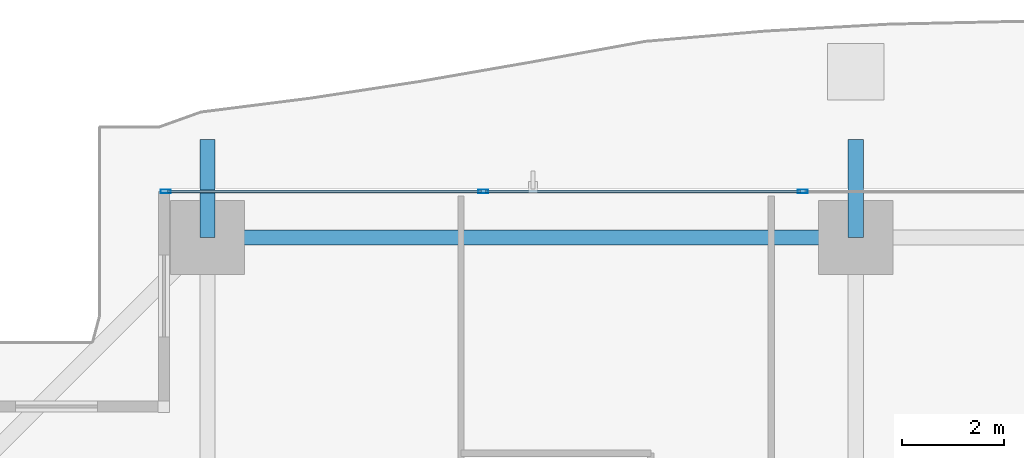
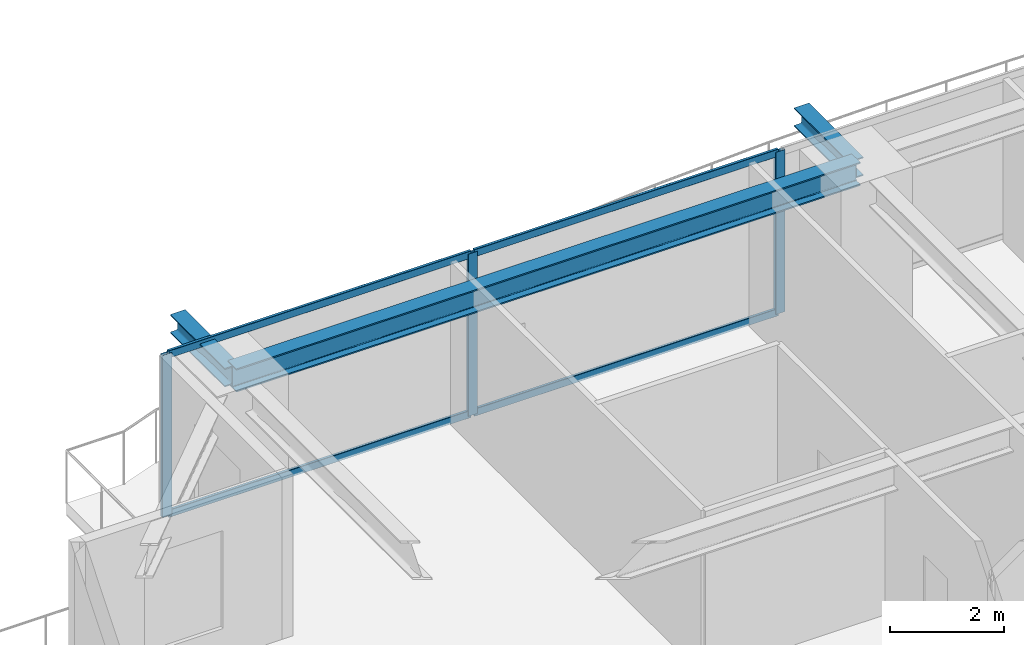
# One storey, part 17 of 36: 7 members, 3 beams, 1 element without a shape of its own.
"""IFC4 building model written with IfcOpenShell, lengths in metres."""

from ifc_helpers import new_model, si_unit, direction, frame, origin, origin_2d, place, context, subcontext, project, spatial, hollow_rectangle, i_section, extrude, source, transform, mapped, material, layer, layer_set, material_profile, profile_set, type_object, element, aggregate, save


model = new_model("IFC4")

# Units and contexts
model_context = context("Model", 3, precision=1e-05, world=origin(), true_north=direction((0.0, 1.0)))
body_context = subcontext(model_context, "Body", "Model", "MODEL_VIEW")
ifc_project = project(units=[si_unit("LENGTHUNIT", "METRE"), si_unit("AREAUNIT", "SQUARE_METRE"), si_unit("VOLUMEUNIT", "CUBIC_METRE"), si_unit("PLANEANGLEUNIT", "RADIAN"), si_unit("MASSUNIT", "GRAM", prefix="KILO")], contexts=[model_context])

# Site, building, storey
site_placement = place(None, origin())
site = spatial("IfcSite", under=ifc_project, at=site_placement, CompositionType="ELEMENT")
building_placement = place(site_placement, origin())
building = spatial("IfcBuilding", under=site, at=building_placement, Name="Serunith Strait Residences", CompositionType="ELEMENT")
storey_placement = place(building_placement, frame((0.0, 0.0, 86.699951171875)))
storey = spatial("IfcBuildingStorey", under=building, at=storey_placement, Name="L21", CompositionType="ELEMENT", Elevation=86.699951171875)

# Beams
ifc_material_1 = material(Name="Steel S355J2", Category="steel")
ifc_material_profile_1 = material_profile(ifc_material_1, i_section(OverallWidth=0.300048828125, OverallDepth=0.5, WebThickness=0.014404296875, FlangeThickness=0.028076171875, FilletRadius=0.027099609375, at=origin_2d()), Name="HEB 500")
ifc_profile_set_1 = profile_set([ifc_material_profile_1], Name="Steel S355J2")
beam_type_1 = type_object("IfcBeamType", Name="BM-HEB500", PredefinedType="BEAM", material=ifc_profile_set_1)
shared_shape_1 = source(origin(), body_context, "Body", "SweptSolid", [
    extrude(i_section(OverallWidth=0.300048828125, OverallDepth=0.5, WebThickness=0.014404296875, FlangeThickness=0.028076171875, FilletRadius=0.027099609375, at=origin_2d()), origin(), (0.0, 0.0, 1.0), 12.64990234375),
])
beam_placement = place(storey_placement, frame((27.89990234375, 49.300048828125, 3.237060546875), z_axis=(-1.0, 0.0, 0.0), x_axis=(0.0, -1.0, 0.0)))
element("IfcBeam", 1, at=beam_placement, inside=storey, type_object=beam_type_1, Name="L21 Perimeter Ring Beam 11", PredefinedType="BEAM", context=body_context, shape_type="MappedRepresentation", body=[
    mapped(shared_shape_1, transform((0.0, 0.0, 0.0), scale=1.0)),
])
ifc_material_profile_2 = material_profile(ifc_material_1, i_section(OverallWidth=0.300048828125, OverallDepth=0.39990234375, WebThickness=0.013427734375, FlangeThickness=0.02392578125, FilletRadius=0.027099609375, at=origin_2d()), Name="HEB 400")
ifc_profile_set_2 = profile_set([ifc_material_profile_2], Name="Steel S355J2")
beam_type_2 = type_object("IfcBeamType", Name="BM-HEB400", PredefinedType="BEAM", material=ifc_profile_set_2)
shared_shape_2 = source(origin(), body_context, "Body", "SweptSolid", [
    extrude(i_section(OverallWidth=0.300048828125, OverallDepth=0.39990234375, WebThickness=0.013427734375, FlangeThickness=0.02392578125, FilletRadius=0.027099609375, at=origin_2d()), origin(), (0.0, 0.0, 1.0), 1.909912109375),
])
for number, where, z_axis, x_axis, name in (
    (2, (15.25, 49.300048828125, 3.257080078125), (0.0, 1.0, 0.0), (-1.0, 0.0, 0.0), "L22 Cantilevered Balcony Rib TC-N1"),
    (3, (27.89990234375, 49.300048828125, 3.257080078125), (0.0, 1.0, 0.0), (-1.0, 0.0, 0.0), "L22 Cantilevered Balcony Rib TC-N2"),
):
    element("IfcBeam", number, at=place(storey_placement, frame(where, z_axis=z_axis, x_axis=x_axis)), inside=storey, type_object=beam_type_2, Name=name, PredefinedType="BEAM", context=body_context, shape_type="MappedRepresentation", body=[
        mapped(shared_shape_2, transform((0.0, 0.0, 0.0), scale=1.0)),
    ])

# Curtain wall, members
ifc_material_2 = material(Name="Pale-Champagne Anodised Aluminium", Category="aluminium")
ifc_layer = layer(ifc_material_2, 0.199951171875, Name="Pale-Champagne Anodised Aluminium")
ifc_layer_set = layer_set([ifc_layer], Name="Pale-Champagne Anodised Aluminium")
curtain_wall_type = type_object("IfcCurtainWallType", Name="CW-SYS1", PredefinedType="NOTDEFINED", material=ifc_layer_set)
curtain_wall_placement = place(storey_placement, origin())
curtain_wall = element("IfcCurtainWall", 4, at=curtain_wall_placement, inside=storey, type_object=curtain_wall_type, Name="L21 N Unitised Fritted Curtain Wall", PredefinedType="NOTDEFINED")
ifc_material_profile_3 = material_profile(ifc_material_2, hollow_rectangle(XDim=0.070068359375, YDim=0.199951171875, WallThickness=0.00390625, InnerFilletRadius=0.006103515625, OuterFilletRadius=0.010009765625, at=origin_2d()), Name="ALU 200x70x4")
ifc_profile_set_3 = profile_set([ifc_material_profile_3], Name="Pale-Champagne Anodised Aluminium")
member_type_1 = type_object("IfcMemberType", Name="CW-SYS1-MULL", PredefinedType="MULLION", material=ifc_profile_set_3)
shared_shape_3 = source(origin(), body_context, "Body", "SweptSolid", [
    extrude(hollow_rectangle(XDim=0.070068359375, YDim=0.199951171875, WallThickness=0.00390625, InnerFilletRadius=0.006103515625, OuterFilletRadius=0.010009765625, at=origin_2d()), origin(), (0.0, 0.0, 1.0), 3.47509765625),
])
member_1_placement = place(storey_placement, frame((26.86669921875, 50.199951171875, 0.0), z_axis=(0.0, 0.0, 1.0), x_axis=(0.0, -1.0, 0.0)))
member_1 = element("IfcMember", 5, at=member_1_placement, type_object=member_type_1, Name="CW-1 mullion 2", PredefinedType="MULLION", context=body_context, shape_type="MappedRepresentation", body=[
    mapped(shared_shape_3, transform((0.0, 0.0, 0.0), scale=1.0)),
])
member_2_placement = place(storey_placement, frame((20.63330078125, 50.199951171875, 0.0), z_axis=(0.0, 0.0, 1.0), x_axis=(0.0, -1.0, 0.0)))
member_2 = element("IfcMember", 6, at=member_2_placement, type_object=member_type_1, Name="CW-1 mullion 3", PredefinedType="MULLION", context=body_context, shape_type="MappedRepresentation", body=[
    mapped(shared_shape_3, transform((0.0, 0.0, 0.0), scale=1.0)),
])
member_3_placement = place(storey_placement, frame((14.43505859375, 50.199951171875, 0.0), z_axis=(0.0, 0.0, 1.0), x_axis=(0.0, -1.0, 0.0)))
member_3 = element("IfcMember", 7, at=member_3_placement, type_object=member_type_1, Name="CW-1 mullion 4", PredefinedType="MULLION", context=body_context, shape_type="MappedRepresentation", body=[
    mapped(shared_shape_3, transform((0.0, 0.0, 0.0), scale=1.0)),
])
ifc_material_profile_4 = material_profile(ifc_material_2, hollow_rectangle(XDim=0.06005859375, YDim=0.159912109375, WallThickness=0.00341796875, InnerFilletRadius=0.00537109375, OuterFilletRadius=0.0087890625, at=origin_2d()), Name="ALU 160x60x3.5")
ifc_profile_set_4 = profile_set([ifc_material_profile_4], Name="Pale-Champagne Anodised Aluminium")
member_type_2 = type_object("IfcMemberType", Name="CW-SYS1-TRAN", PredefinedType="USERDEFINED", material=ifc_profile_set_4)
shared_shape_4 = source(origin(), body_context, "Body", "SweptSolid", [
    extrude(hollow_rectangle(XDim=0.06005859375, YDim=0.159912109375, WallThickness=0.00341796875, InnerFilletRadius=0.00537109375, OuterFilletRadius=0.0087890625, at=origin_2d()), origin(), (0.0, 0.0, 1.0), 6.12841796875),
])
member_4_placement = place(storey_placement, frame((20.598388671875, 50.199951171875, 0.030029296875), z_axis=(-1.0, 0.0, 0.0), x_axis=(0.0, -1.0, 0.0)))
member_4 = element("IfcMember", 8, at=member_4_placement, type_object=member_type_2, Name="CW-1 transom 3.1", ObjectType="TRANSOM", PredefinedType="USERDEFINED", context=body_context, shape_type="MappedRepresentation", body=[
    mapped(shared_shape_4, transform((0.0, 0.0, 0.0), scale=1.0)),
])
member_5_placement = place(storey_placement, frame((20.598388671875, 50.199951171875, 3.445068359375), z_axis=(-1.0, 0.0, 0.0), x_axis=(0.0, -1.0, 0.0)))
member_5 = element("IfcMember", 9, at=member_5_placement, type_object=member_type_2, Name="CW-1 transom 3.2", ObjectType="TRANSOM", PredefinedType="USERDEFINED", context=body_context, shape_type="MappedRepresentation", body=[
    mapped(shared_shape_4, transform((0.0, 0.0, 0.0), scale=1.0)),
])
shared_shape_5 = source(origin(), body_context, "Body", "SweptSolid", [
    extrude(hollow_rectangle(XDim=0.06005859375, YDim=0.159912109375, WallThickness=0.00341796875, InnerFilletRadius=0.00537109375, OuterFilletRadius=0.0087890625, at=origin_2d()), origin(), (0.0, 0.0, 1.0), 6.16357421875),
])
member_6_placement = place(storey_placement, frame((26.831787109375, 50.199951171875, 0.030029296875), z_axis=(-1.0, 0.0, 0.0), x_axis=(0.0, -1.0, 0.0)))
member_6 = element("IfcMember", 10, at=member_6_placement, type_object=member_type_2, Name="CW-1 transom 2.1", ObjectType="TRANSOM", PredefinedType="USERDEFINED", context=body_context, shape_type="MappedRepresentation", body=[
    mapped(shared_shape_5, transform((0.0, 0.0, 0.0), scale=1.0)),
])
member_7_placement = place(storey_placement, frame((26.831787109375, 50.199951171875, 3.445068359375), z_axis=(-1.0, 0.0, 0.0), x_axis=(0.0, -1.0, 0.0)))
member_7 = element("IfcMember", 11, at=member_7_placement, type_object=member_type_2, Name="CW-1 transom 2.2", ObjectType="TRANSOM", PredefinedType="USERDEFINED", context=body_context, shape_type="MappedRepresentation", body=[
    mapped(shared_shape_5, transform((0.0, 0.0, 0.0), scale=1.0)),
])
aggregate(curtain_wall, [member_1, member_2, member_3, member_6, member_7, member_4, member_5])

save(model, "model.ifc")
